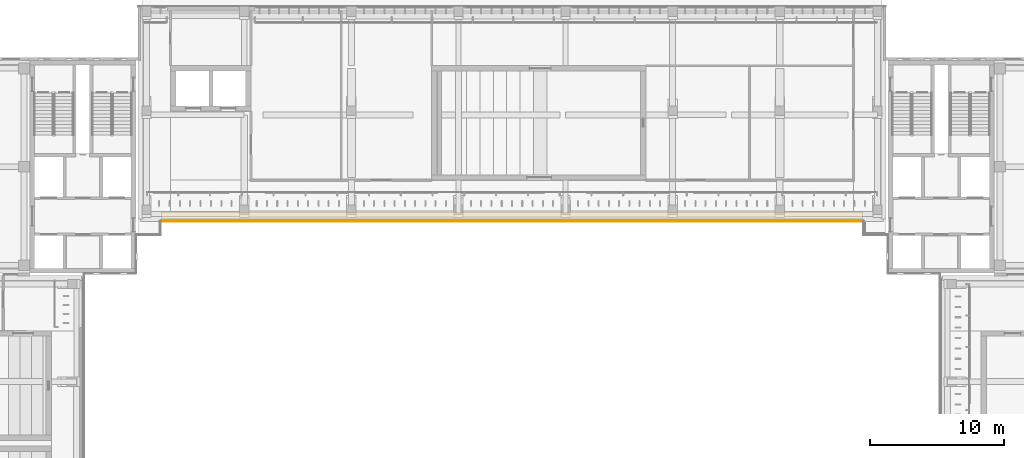
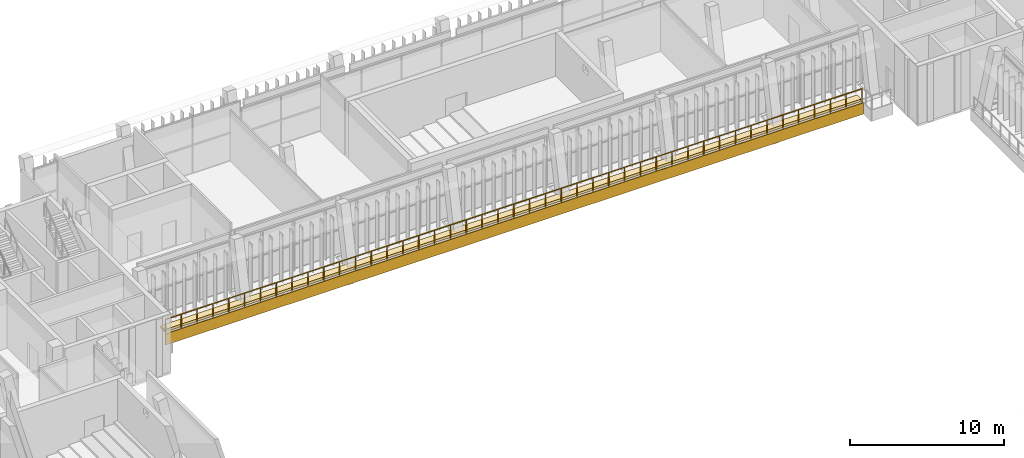
# One storey, part 63 of 74: 2 coverings, 1 railing.
"""IFC4 building model written with IfcOpenShell, lengths in metres."""

from ifc_helpers import new_model, si_unit, direction, frame, frame_2d, origin, origin_2d, place, context, subcontext, project, spatial, polyline, rectangle, circle, outline, extrude, material, layer, layer_set, type_object, element, save


model = new_model("IFC4")

# Units and contexts
model_context = context("Model", 3, precision=1e-05, world=origin(), true_north=direction((0.0, 1.0)))
body_context = subcontext(model_context, "Body", "Model", "MODEL_VIEW")
ifc_project = project(units=[si_unit("LENGTHUNIT", "METRE"), si_unit("AREAUNIT", "SQUARE_METRE"), si_unit("VOLUMEUNIT", "CUBIC_METRE"), si_unit("PLANEANGLEUNIT", "RADIAN"), si_unit("MASSUNIT", "GRAM", prefix="KILO")], contexts=[model_context])

# Site, building, storey
site_placement = place(None, origin())
site = spatial("IfcSite", under=ifc_project, at=site_placement, CompositionType="ELEMENT")
building_placement = place(site_placement, origin())
building = spatial("IfcBuilding", under=site, at=building_placement, Name="Lantern Court Media Centre", CompositionType="ELEMENT")
storey_placement = place(building_placement, frame((0.0, 0.0, 19.199951171875)))
storey = spatial("IfcBuildingStorey", under=building, at=storey_placement, Name="L04", CompositionType="ELEMENT", Elevation=19.199951171875)

# Covering
ifc_material_1 = material(Name="White glass-fibre reinforced cement cladding", Category="concrete")
ifc_layer_1 = layer(ifc_material_1, 0.050048828125)
ifc_layer_set_1 = layer_set([ifc_layer_1], Name="White glass-fibre reinforced cement cladding")
covering_type_1 = type_object("IfcCoveringType", Name="Floor-edge band 50", PredefinedType="CLADDING", material=ifc_layer_set_1)
covering_1_placement = place(storey_placement, frame((25.75, 99.97509765625, -0.89990234375), z_axis=(0.0, 0.0, 1.0), x_axis=(1.0, 0.0, 0.0)))
element("IfcCovering", 1, at=covering_1_placement, inside=storey, type_object=covering_type_1, Name="Floor-edge band N inner L04", PredefinedType="CLADDING", context=body_context, shape_type="SweptSolid", body=[
    extrude(rectangle(XDim=52.5, YDim=0.050048828125, at=frame_2d((26.25, 0.0))), origin(), (0.0, 0.0, 1.0), 0.89990234375),
])

# Railing
ifc_material_2 = material(Name="Painted mild steel balustrade", Category="steel")
railing_type = type_object("IfcRailingType", Name="Guard 1100 steel balustrade", PredefinedType="GUARDRAIL", material=ifc_material_2)
railing_placement = place(storey_placement, frame((25.800048828125, 100.050048828125, 0.0)))
element("IfcRailing", 2, at=railing_placement, inside=storey, type_object=railing_type, Name="Ledge guard N L04", PredefinedType="GUARDRAIL", context=body_context, shape_type="SweptSolid", body=[
    extrude(circle(Radius=0.02392578125, at=origin_2d()), frame((0.0, 0.0, 1.076171875), z_axis=(1.0, 0.0, 0.0), x_axis=(0.0, 1.0, 0.0)), (0.0, 0.0, 1.0), 52.39990234375),
    extrude(circle(Radius=0.02099609375, at=origin_2d()), origin(), (0.0, 0.0, 1.0), 1.052001953125),
    extrude(circle(Radius=0.02099609375, at=origin_2d()), frame((1.19091796875, 0.0, 0.0)), (0.0, 0.0, 1.0), 1.052001953125),
    extrude(circle(Radius=0.02099609375, at=origin_2d()), frame((2.3818359375, 0.0, 0.0)), (0.0, 0.0, 1.0), 1.052001953125),
    extrude(circle(Radius=0.02099609375, at=origin_2d()), frame((3.57275390625, 0.0, 0.0)), (0.0, 0.0, 1.0), 1.052001953125),
    extrude(circle(Radius=0.02099609375, at=origin_2d()), frame((4.763671875, 0.0, 0.0)), (0.0, 0.0, 1.0), 1.052001953125),
    extrude(circle(Radius=0.02099609375, at=origin_2d()), frame((5.95458984375, 0.0, 0.0)), (0.0, 0.0, 1.0), 1.052001953125),
    extrude(circle(Radius=0.02099609375, at=origin_2d()), frame((7.1455078125, 0.0, 0.0)), (0.0, 0.0, 1.0), 1.052001953125),
    extrude(circle(Radius=0.02099609375, at=origin_2d()), frame((8.33642578125, 0.0, 0.0)), (0.0, 0.0, 1.0), 1.052001953125),
    extrude(circle(Radius=0.02099609375, at=origin_2d()), frame((9.52734375, 0.0, 0.0)), (0.0, 0.0, 1.0), 1.052001953125),
    extrude(circle(Radius=0.02099609375, at=origin_2d()), frame((10.71826171875, 0.0, 0.0)), (0.0, 0.0, 1.0), 1.052001953125),
    extrude(circle(Radius=0.02099609375, at=origin_2d()), frame((11.9091796875, 0.0, 0.0)), (0.0, 0.0, 1.0), 1.052001953125),
    extrude(circle(Radius=0.02099609375, at=origin_2d()), frame((13.10009765625, 0.0, 0.0)), (0.0, 0.0, 1.0), 1.052001953125),
    extrude(circle(Radius=0.02099609375, at=origin_2d()), frame((14.290771484375, 0.0, 0.0)), (0.0, 0.0, 1.0), 1.052001953125),
    extrude(circle(Radius=0.02099609375, at=origin_2d()), frame((15.481689453125, 0.0, 0.0)), (0.0, 0.0, 1.0), 1.052001953125),
    extrude(circle(Radius=0.02099609375, at=origin_2d()), frame((16.672607421875, 0.0, 0.0)), (0.0, 0.0, 1.0), 1.052001953125),
    extrude(circle(Radius=0.02099609375, at=origin_2d()), frame((17.863525390625, 0.0, 0.0)), (0.0, 0.0, 1.0), 1.052001953125),
    extrude(circle(Radius=0.02099609375, at=origin_2d()), frame((19.054443359375, 0.0, 0.0)), (0.0, 0.0, 1.0), 1.052001953125),
    extrude(circle(Radius=0.02099609375, at=origin_2d()), frame((20.245361328125, 0.0, 0.0)), (0.0, 0.0, 1.0), 1.052001953125),
    extrude(circle(Radius=0.02099609375, at=origin_2d()), frame((21.436279296875, 0.0, 0.0)), (0.0, 0.0, 1.0), 1.052001953125),
    extrude(circle(Radius=0.02099609375, at=origin_2d()), frame((22.627197265625, 0.0, 0.0)), (0.0, 0.0, 1.0), 1.052001953125),
    extrude(circle(Radius=0.02099609375, at=origin_2d()), frame((23.818115234375, 0.0, 0.0)), (0.0, 0.0, 1.0), 1.052001953125),
    extrude(circle(Radius=0.02099609375, at=origin_2d()), frame((25.009033203125, 0.0, 0.0)), (0.0, 0.0, 1.0), 1.052001953125),
    extrude(circle(Radius=0.02099609375, at=origin_2d()), frame((26.199951171875, 0.0, 0.0)), (0.0, 0.0, 1.0), 1.052001953125),
    extrude(circle(Radius=0.02099609375, at=origin_2d()), frame((27.390869140625, 0.0, 0.0)), (0.0, 0.0, 1.0), 1.052001953125),
    extrude(circle(Radius=0.02099609375, at=origin_2d()), frame((28.581787109375, 0.0, 0.0)), (0.0, 0.0, 1.0), 1.052001953125),
    extrude(circle(Radius=0.02099609375, at=origin_2d()), frame((29.772705078125, 0.0, 0.0)), (0.0, 0.0, 1.0), 1.052001953125),
    extrude(circle(Radius=0.02099609375, at=origin_2d()), frame((30.963623046875, 0.0, 0.0)), (0.0, 0.0, 1.0), 1.052001953125),
    extrude(circle(Radius=0.02099609375, at=origin_2d()), frame((32.154541015625, 0.0, 0.0)), (0.0, 0.0, 1.0), 1.052001953125),
    extrude(circle(Radius=0.02099609375, at=origin_2d()), frame((33.345458984375, 0.0, 0.0)), (0.0, 0.0, 1.0), 1.052001953125),
    extrude(circle(Radius=0.02099609375, at=origin_2d()), frame((34.536376953125, 0.0, 0.0)), (0.0, 0.0, 1.0), 1.052001953125),
    extrude(circle(Radius=0.02099609375, at=origin_2d()), frame((35.727294921875, 0.0, 0.0)), (0.0, 0.0, 1.0), 1.052001953125),
    extrude(circle(Radius=0.02099609375, at=origin_2d()), frame((36.918212890625, 0.0, 0.0)), (0.0, 0.0, 1.0), 1.052001953125),
    extrude(circle(Radius=0.02099609375, at=origin_2d()), frame((38.109130859375, 0.0, 0.0)), (0.0, 0.0, 1.0), 1.052001953125),
    extrude(circle(Radius=0.02099609375, at=origin_2d()), frame((39.2998046875, 0.0, 0.0)), (0.0, 0.0, 1.0), 1.052001953125),
    extrude(circle(Radius=0.02099609375, at=origin_2d()), frame((40.49072265625, 0.0, 0.0)), (0.0, 0.0, 1.0), 1.052001953125),
    extrude(circle(Radius=0.02099609375, at=origin_2d()), frame((41.681640625, 0.0, 0.0)), (0.0, 0.0, 1.0), 1.052001953125),
    extrude(circle(Radius=0.02099609375, at=origin_2d()), frame((42.87255859375, 0.0, 0.0)), (0.0, 0.0, 1.0), 1.052001953125),
    extrude(circle(Radius=0.02099609375, at=origin_2d()), frame((44.0634765625, 0.0, 0.0)), (0.0, 0.0, 1.0), 1.052001953125),
    extrude(circle(Radius=0.02099609375, at=origin_2d()), frame((45.25439453125, 0.0, 0.0)), (0.0, 0.0, 1.0), 1.052001953125),
    extrude(circle(Radius=0.02099609375, at=origin_2d()), frame((46.4453125, 0.0, 0.0)), (0.0, 0.0, 1.0), 1.052001953125),
    extrude(circle(Radius=0.02099609375, at=origin_2d()), frame((47.63623046875, 0.0, 0.0)), (0.0, 0.0, 1.0), 1.052001953125),
    extrude(circle(Radius=0.02099609375, at=origin_2d()), frame((48.8271484375, 0.0, 0.0)), (0.0, 0.0, 1.0), 1.052001953125),
    extrude(circle(Radius=0.02099609375, at=origin_2d()), frame((50.01806640625, 0.0, 0.0)), (0.0, 0.0, 1.0), 1.052001953125),
    extrude(circle(Radius=0.02099609375, at=origin_2d()), frame((51.208984375, 0.0, 0.0)), (0.0, 0.0, 1.0), 1.052001953125),
    extrude(circle(Radius=0.02099609375, at=origin_2d()), frame((52.39990234375, 0.0, 0.0)), (0.0, 0.0, 1.0), 1.052001953125),
])

# Covering
ifc_material_3 = material(Name="Planting substrate")
ifc_layer_2 = layer(ifc_material_3, 0.199951171875)
ifc_layer_set_2 = layer_set([ifc_layer_2], Name="Planting substrate")
covering_type_2 = type_object("IfcCoveringType", Name="Planted ledge build-up 200", PredefinedType="ROOFING", material=ifc_layer_set_2)
covering_2_placement = place(storey_placement, origin())
element("IfcCovering", 3, at=covering_2_placement, inside=storey, type_object=covering_type_2, Name="Planted ledge N L04", PredefinedType="ROOFING", context=body_context, shape_type="SweptSolid", body=[
    extrude(outline(polyline([(25.800048828125, 100.14990234375), (78.199951171875, 100.14990234375), (78.199951171875, 100.679931640625), (25.800048828125, 100.679931640625), (25.800048828125, 100.14990234375)])), origin(), (0.0, 0.0, 1.0), 0.199951171875),
])

save(model, "model.ifc")
